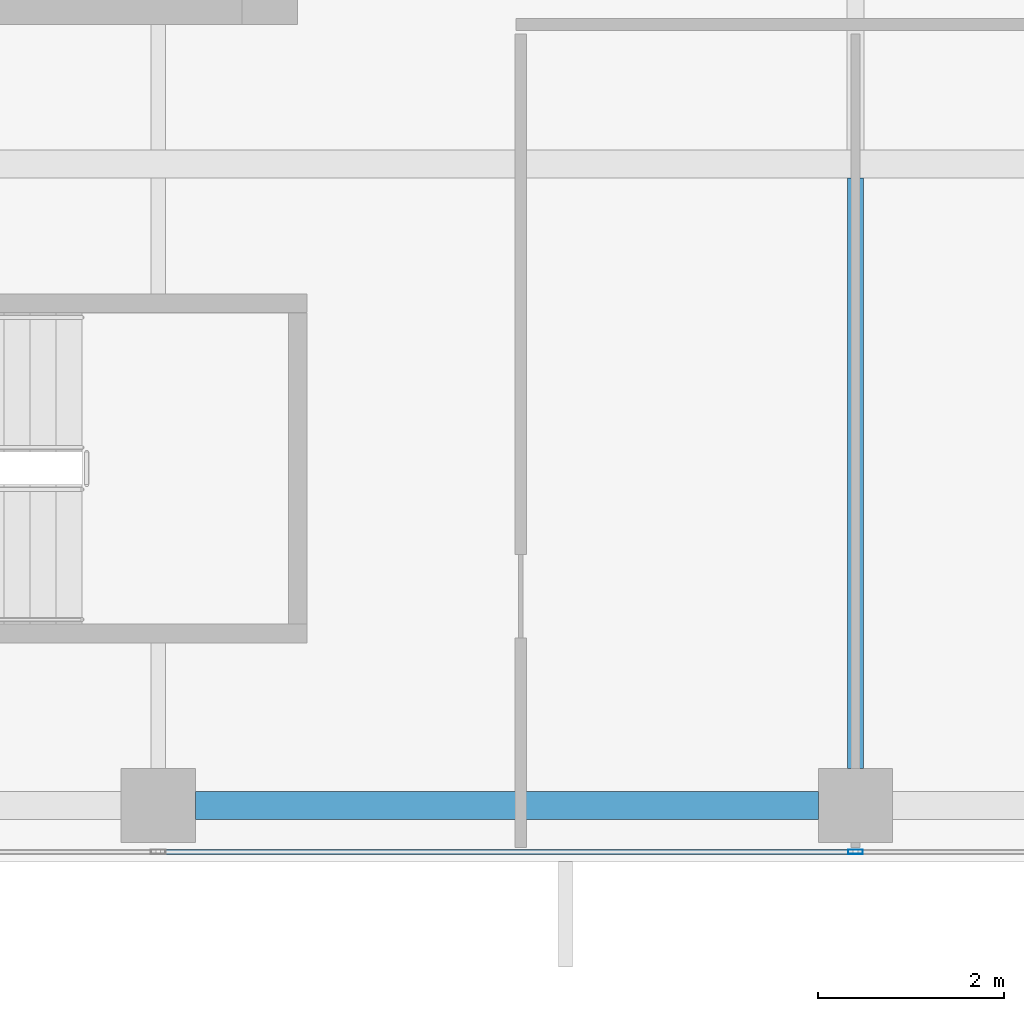
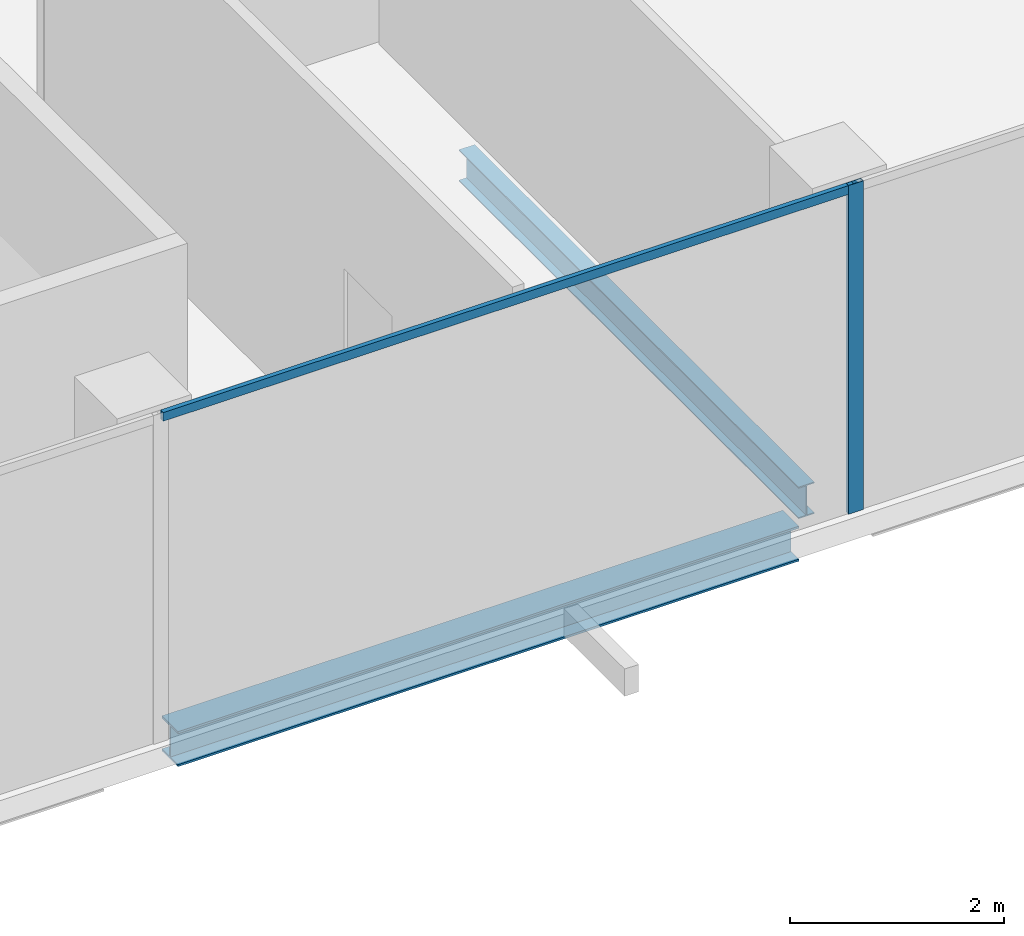
# One storey, part 5 of 29: 2 beams, 2 members, 1 element without a shape of its own.
"""IFC4 building model written with IfcOpenShell, lengths in metres."""

import ifcopenshell
import ifcopenshell.guid

model = None  # the IFC model being written
_history = None  # IfcOwnerHistory: only IFC2X3 demands one
_inside = {}  # id of a spatial element -> (the spatial element, [elements in it])
_under = {}  # id of a project, library or spatial element -> (it, [spatial elements below it])
_declared = {}  # id of a project -> (the project, [libraries it declares])
_typed = {}  # id of a type object -> (the type object, [elements of that type])
_made_of = {}  # id of a material, layer set ... -> (it, [elements and type objects made of it])


def new_model(schema):
    """Start an empty IFC model of exactly this schema.

    Asked for "IFC4X3", IfcOpenShell would pick the latest addendum, in which some entities
    have other attributes; the version numbers below select the first issue.
    IFC2X3 requires an IfcOwnerHistory on every rooted entity: one is made here for all.
    """
    global model, _history
    if schema == "IFC4X3":
        model = ifcopenshell.file(schema_version=(4, 3, 0, 0))
    else:
        model = ifcopenshell.file(schema=schema)
    _inside.clear()
    _under.clear()
    _declared.clear()
    _typed.clear()
    _made_of.clear()
    _history = None
    if model.schema == "IFC2X3":
        org = make("IfcOrganization", Name="unknown")
        user = make(
            "IfcPersonAndOrganization",
            ThePerson=make("IfcPerson", FamilyName="unknown"),
            TheOrganization=org,
        )
        app = make(
            "IfcApplication",
            ApplicationDeveloper=org,
            Version="unknown",
            ApplicationFullName="unknown",
            ApplicationIdentifier="unknown",
        )
        _history = make(
            "IfcOwnerHistory",
            OwningUser=user,
            OwningApplication=app,
            ChangeAction="ADDED",
            CreationDate=0,
        )
    return model


def make(cls, **values):
    """One entity of the class cls with the attributes given. An attribute that is None is left unset."""
    return model.create_entity(
        cls, **{name: value for name, value in values.items() if value is not None}
    )


def rooted(cls, **values):
    """An entity with a GlobalId (a new one), such as an element, a storey or a relation."""
    return make(cls, GlobalId=ifcopenshell.guid.new(), OwnerHistory=_history, **values)


def si_unit(unit_type, name, prefix=None):
    """IfcSIUnit, for example si_unit("LENGTHUNIT", "METRE", prefix="MILLI")."""
    return make("IfcSIUnit", UnitType=unit_type, Prefix=prefix, Name=name)


def assignment(units):
    """IfcUnitAssignment: the units of a project."""
    return None if units is None else make("IfcUnitAssignment", Units=units)


def point(xyz):
    """IfcCartesianPoint."""
    return None if xyz is None else make("IfcCartesianPoint", Coordinates=xyz)


def direction(xyz):
    """IfcDirection."""
    return None if xyz is None else make("IfcDirection", DirectionRatios=xyz)


def frame(location, z_axis=None, x_axis=None):
    """IfcAxis2Placement3D, a coordinate frame: its origin and axes. An axis left out is left unset."""
    return make(
        "IfcAxis2Placement3D",
        Location=point(location),
        Axis=direction(z_axis),
        RefDirection=direction(x_axis),
    )


def frame_2d(location, x_axis=None):
    """IfcAxis2Placement2D, a coordinate frame in the plane: its origin and x axis."""
    return make(
        "IfcAxis2Placement2D", Location=point(location), RefDirection=direction(x_axis)
    )


def origin():
    """The frame at (0, 0, 0) with its axes left unset."""
    return frame((0.0, 0.0, 0.0))


def origin_2d():
    """The frame at (0, 0) in the plane with its x axis left unset."""
    return frame_2d((0.0, 0.0))


def place(relative_to, where):
    """IfcLocalPlacement: puts the frame where relative to a parent placement (None: the world)."""
    return make(
        "IfcLocalPlacement", PlacementRelTo=relative_to, RelativePlacement=where
    )


def context(
    kind, dimensions, precision=None, world=None, true_north=None, identifier=None
):
    """IfcGeometricRepresentationContext, for example the 3D "Model" context."""
    return make(
        "IfcGeometricRepresentationContext",
        ContextIdentifier=identifier,
        ContextType=kind,
        CoordinateSpaceDimension=dimensions,
        Precision=precision,
        WorldCoordinateSystem=world,
        TrueNorth=true_north,
    )


def subcontext(parent, identifier, kind, view, scale=None):
    """IfcGeometricRepresentationSubContext, for example "Body" below "Model"."""
    return make(
        "IfcGeometricRepresentationSubContext",
        ContextIdentifier=identifier,
        ContextType=kind,
        ParentContext=parent,
        TargetScale=scale,
        TargetView=view,
    )


def project(units=None, contexts=None):
    """IfcProject with its units and contexts."""
    return rooted(
        "IfcProject",
        Name="project",
        RepresentationContexts=contexts,
        UnitsInContext=assignment(units),
    )


def spatial(cls, under=None, at=None, **own):
    """A site, building, storey or space (cls), placed at a placement, below another one or the project."""
    s = rooted(cls, ObjectPlacement=at, **own)
    if under is not None:
        _under.setdefault(under.id(), (under, []))[1].append(s)
    return s


def profile(cls, at=None, kind="AREA", **sizes):
    """A parametric profile (cls). Its sizes go by their IFC names, for example OverallWidth=200.0."""
    return make(cls, ProfileType=kind, Position=at, **sizes)


def hollow_rectangle(**sizes):
    """IfcRectangleHollowProfileDef."""
    return profile("IfcRectangleHollowProfileDef", **sizes)


def i_section(**sizes):
    """IfcIShapeProfileDef."""
    return profile("IfcIShapeProfileDef", **sizes)


def extrude(swept, where, along, depth):
    """IfcExtrudedAreaSolid: the profile swept, set in the frame where, extruded along a direction by depth."""
    return make(
        "IfcExtrudedAreaSolid",
        SweptArea=swept,
        Position=where,
        ExtrudedDirection=direction(along),
        Depth=depth,
    )


def shape(context_of_items, identifier, shape_type, items):
    """IfcShapeRepresentation: the items that make up one representation, for example the "Body"."""
    return make(
        "IfcShapeRepresentation",
        ContextOfItems=context_of_items,
        RepresentationIdentifier=identifier,
        RepresentationType=shape_type,
        Items=items,
    )


def source(mapping_origin, context_of_items, identifier, shape_type, items):
    """IfcRepresentationMap: a shape defined once, which mapped items show again and again."""
    return make(
        "IfcRepresentationMap",
        MappingOrigin=mapping_origin,
        MappedRepresentation=shape(context_of_items, identifier, shape_type, items),
    )


def transform(
    local_origin,
    x_axis=None,
    y_axis=None,
    z_axis=None,
    scale=None,
    scale2=None,
    scale3=None,
    uniform=True,
):
    """IfcCartesianTransformationOperator3D, or its non-uniform kind. x_axis, y_axis, z_axis: its Axis1, 2, 3."""
    if uniform:
        return make(
            "IfcCartesianTransformationOperator3D",
            Axis1=direction(x_axis),
            Axis2=direction(y_axis),
            LocalOrigin=point(local_origin),
            Scale=scale,
            Axis3=direction(z_axis),
        )
    return make(
        "IfcCartesianTransformationOperator3DnonUniform",
        Axis1=direction(x_axis),
        Axis2=direction(y_axis),
        LocalOrigin=point(local_origin),
        Scale=scale,
        Axis3=direction(z_axis),
        Scale2=scale2,
        Scale3=scale3,
    )


def mapped(mapping_source, mapping_target):
    """IfcMappedItem: shows the shape of a source again, moved by a transform."""
    return make(
        "IfcMappedItem", MappingSource=mapping_source, MappingTarget=mapping_target
    )


def material(Name=None, Category=None):
    """IfcMaterial."""
    return make("IfcMaterial", Name=Name, Category=Category)


def material_profile(
    of_material, cross_section, Name=None, Category=None, Priority=None
):
    """IfcMaterialProfile: a cross section and its material."""
    return make(
        "IfcMaterialProfile",
        Name=Name,
        Material=of_material,
        Profile=cross_section,
        Priority=Priority,
        Category=Category,
    )


def profile_set(profiles, Name=None, composite=None):
    """IfcMaterialProfileSet."""
    return make(
        "IfcMaterialProfileSet",
        Name=Name,
        MaterialProfiles=profiles,
        CompositeProfile=composite,
    )


def made_of(thing, what):
    """Note that an element or type object is made of a material, layer set ...; save() writes the relation."""
    if what is not None:
        _made_of.setdefault(what.id(), (what, []))[1].append(thing)
    return thing


def type_object(cls, material=None, **own):
    """A type object (cls), such as IfcWallType, which elements share."""
    return made_of(rooted(cls, **own), material)


def element(
    cls,
    number,
    at=None,
    inside=None,
    cuts=None,
    type_object=None,
    material=None,
    context=None,
    identifier="Body",
    shape_type=None,
    held_by="IfcProductDefinitionShape",
    body=None,
    shapes=None,
    **own,
):
    """One element of the class cls, such as IfcWall. Its Tag is "e" and its number.

    at: its placement. inside: the storey or other place that contains it. cuts: it is an
    opening in that element (IfcRelVoidsElement). A single representation is given by context,
    identifier, shape_type and body (its items); several are given by shapes. held_by: the class
    of the entity that holds the representations. save() writes the other relations.
    """
    e = rooted(cls, Tag="e%d" % number, ObjectPlacement=at, **own)
    if body is not None:
        shapes = [shape(context, identifier, shape_type, body)]
    if shapes is not None:
        e.Representation = make(held_by, Representations=shapes)
    if inside is not None:
        _inside.setdefault(inside.id(), (inside, []))[1].append(e)
    if cuts is not None:
        rooted(
            "IfcRelVoidsElement", RelatingBuildingElement=cuts, RelatedOpeningElement=e
        )
    if type_object is not None:
        _typed.setdefault(type_object.id(), (type_object, []))[1].append(e)
    return made_of(e, material)


def aggregate(whole, parts):
    """IfcRelAggregates: a whole, such as a stair, and the parts it consists of."""
    return rooted("IfcRelAggregates", RelatingObject=whole, RelatedObjects=parts)


def save(model, path):
    """Write the relations noted so far, then the file.

    IfcRelAggregates (storeys below a building ...), IfcRelContainedInSpatialStructure (elements
    in a storey), IfcRelDefinesByType, IfcRelAssociatesMaterial and IfcRelDeclares: one each for
    every whole, place, type object, material and project.
    """
    for whole, parts in _under.values():
        aggregate(whole, parts)
    for where, things in _inside.values():
        rooted(
            "IfcRelContainedInSpatialStructure",
            RelatedElements=things,
            RelatingStructure=where,
        )
    for kind, things in _typed.values():
        rooted("IfcRelDefinesByType", RelatedObjects=things, RelatingType=kind)
    for what, things in _made_of.values():
        rooted("IfcRelAssociatesMaterial", RelatedObjects=things, RelatingMaterial=what)
    for by, libraries in _declared.values():
        rooted("IfcRelDeclares", RelatingContext=by, RelatedDefinitions=libraries)
    model.write(path)


model = new_model("IFC4")

# Units and contexts
model_context = context("Model", 3, precision=1e-05, world=origin(), true_north=direction((0.0, 1.0)))
body_context = subcontext(model_context, "Body", "Model", "MODEL_VIEW")
ifc_project = project(units=[si_unit("LENGTHUNIT", "METRE"), si_unit("AREAUNIT", "SQUARE_METRE"), si_unit("VOLUMEUNIT", "CUBIC_METRE"), si_unit("PLANEANGLEUNIT", "RADIAN"), si_unit("MASSUNIT", "GRAM", prefix="KILO")], contexts=[model_context])

# Site, building, storey
site_placement = place(None, origin())
site = spatial("IfcSite", under=ifc_project, at=site_placement, CompositionType="ELEMENT")
building_placement = place(site_placement, origin())
building = spatial("IfcBuilding", under=site, at=building_placement, Name="Khomas Fold Tower", CompositionType="ELEMENT")
storey_placement = place(building_placement, frame((0.0, 0.0, 286.199951171875)))
storey = spatial("IfcBuildingStorey", under=building, at=storey_placement, Name="L64", CompositionType="ELEMENT", Elevation=286.199951171875)

# Beams
ifc_material_1 = material(Name="Steel S355", Category="steel")
ifc_material_profile_1 = material_profile(ifc_material_1, i_section(OverallWidth=0.300048828125, OverallDepth=0.39990234375, WebThickness=0.013427734375, FlangeThickness=0.02392578125, at=origin_2d()), Name="HE 400 B")
ifc_profile_set_1 = profile_set([ifc_material_profile_1], Name="Steel S355")
beam_type_1 = type_object("IfcBeamType", Name="HE 400 B spandrel SB5", PredefinedType="SPANDREL", material=ifc_profile_set_1)
shared_shape_1 = source(origin(), body_context, "Body", "SweptSolid", [
    extrude(i_section(OverallWidth=0.300048828125, OverallDepth=0.39990234375, WebThickness=0.013427734375, FlangeThickness=0.02392578125, at=origin_2d()), origin(), (0.0, 0.0, 1.0), 6.7001953125),
])
beam_1_placement = place(storey_placement, frame((19.89990234375, 6.60009765625, -0.449951171875), z_axis=(1.0, 0.0, 0.0), x_axis=(0.0, 1.0, 0.0)))
element("IfcBeam", 1, at=beam_1_placement, inside=storey, type_object=beam_type_1, Name="SB5", PredefinedType="SPANDREL", context=body_context, shape_type="MappedRepresentation", body=[
    mapped(shared_shape_1, transform((0.0, 0.0, 0.0))),
])
ifc_material_2 = material(Name="Steel S355", Category="steel")
ifc_material_profile_2 = material_profile(ifc_material_2, i_section(OverallWidth=0.169921875, OverallDepth=0.360107421875, WebThickness=0.008056640625, FlangeThickness=0.0126953125, at=origin_2d()), Name="IPE 360")
ifc_profile_set_2 = profile_set([ifc_material_profile_2], Name="Steel S355")
beam_type_2 = type_object("IfcBeamType", Name="IPE 360 beam JB2", PredefinedType="BEAM", material=ifc_profile_set_2)
shared_shape_2 = source(origin(), body_context, "Body", "SweptSolid", [
    extrude(i_section(OverallWidth=0.169921875, OverallDepth=0.360107421875, WebThickness=0.008056640625, FlangeThickness=0.0126953125, at=origin_2d()), origin(), (0.0, 0.0, 1.0), 6.35009765625),
])
beam_2_placement = place(storey_placement, frame((27.0, 7.0, -0.429931640625), z_axis=(0.0, 1.0, 0.0), x_axis=(-1.0, 0.0, 0.0)))
element("IfcBeam", 2, at=beam_2_placement, inside=storey, type_object=beam_type_2, Name="JB2", PredefinedType="BEAM", context=body_context, shape_type="MappedRepresentation", body=[
    mapped(shared_shape_2, transform((0.0, 0.0, 0.0))),
])

# Curtain wall, members
ifc_material_3 = material(Name="Aluminium framed double glazing", Category="aluminium")
curtain_wall_type = type_object("IfcCurtainWallType", Name="SK-Unitised clear-glass wall, upper floors CW3", PredefinedType="NOTDEFINED", material=ifc_material_3)
curtain_wall_placement = place(storey_placement, origin())
curtain_wall = element("IfcCurtainWall", 3, at=curtain_wall_placement, inside=storey, type_object=curtain_wall_type, Name="CW3 run L64 00-0", PredefinedType="NOTDEFINED")
ifc_material_4 = material(Name="Aluminium", Category="aluminium")
ifc_material_profile_3 = material_profile(ifc_material_4, hollow_rectangle(XDim=0.050048828125, YDim=0.159912109375, WallThickness=0.00390625, at=origin_2d()), Name="SK-Unitised clear-glass wall, upper floors mullion CW3-M")
ifc_profile_set_3 = profile_set([ifc_material_profile_3], Name="Aluminium")
member_type_1 = type_object("IfcMemberType", Name="SK-Unitised clear-glass wall, upper floors mullion CW3-M", PredefinedType="MULLION", material=ifc_profile_set_3)
shared_shape_3 = source(origin(), body_context, "Body", "SweptSolid", [
    extrude(hollow_rectangle(XDim=0.050048828125, YDim=0.159912109375, WallThickness=0.00390625, at=origin_2d()), origin(), (0.0, 0.0, 1.0), 3.75),
])
member_1_placement = place(storey_placement, frame((27.0, 6.10009765625, 0.0), z_axis=(0.0, 0.0, 1.0), x_axis=(0.0, 1.0, 0.0)))
member_1 = element("IfcMember", 4, at=member_1_placement, type_object=member_type_1, Name="CW3 mullion 4", PredefinedType="MULLION", context=body_context, shape_type="MappedRepresentation", body=[
    mapped(shared_shape_3, transform((0.0, 0.0, 0.0))),
])
ifc_material_5 = material(Name="Aluminium", Category="aluminium")
ifc_material_profile_4 = material_profile(ifc_material_5, hollow_rectangle(XDim=0.050048828125, YDim=0.10009765625, WallThickness=0.00390625, at=origin_2d()), Name="SK-Unitised clear-glass wall, upper floors transom CW3-T")
ifc_profile_set_4 = profile_set([ifc_material_profile_4], Name="Aluminium")
member_type_2 = type_object("IfcMemberType", Name="SK-Unitised clear-glass wall, upper floors transom CW3-T", PredefinedType="USERDEFINED", material=ifc_profile_set_4)
shared_shape_4 = source(origin(), body_context, "Body", "SweptSolid", [
    extrude(hollow_rectangle(XDim=0.050048828125, YDim=0.10009765625, WallThickness=0.00390625, at=origin_2d()), origin(), (0.0, 0.0, 1.0), 7.4501953125),
])
member_2_placement = place(storey_placement, frame((19.52490234375, 6.10009765625, 3.699951171875), z_axis=(1.0, 0.0, 0.0), x_axis=(0.0, 1.0, 0.0)))
member_2 = element("IfcMember", 5, at=member_2_placement, type_object=member_type_2, Name="CW3 transom 3", ObjectType="TRANSOM", PredefinedType="USERDEFINED", context=body_context, shape_type="MappedRepresentation", body=[
    mapped(shared_shape_4, transform((0.0, 0.0, 0.0))),
])
aggregate(curtain_wall, [member_1, member_2])

save(model, "model.ifc")
